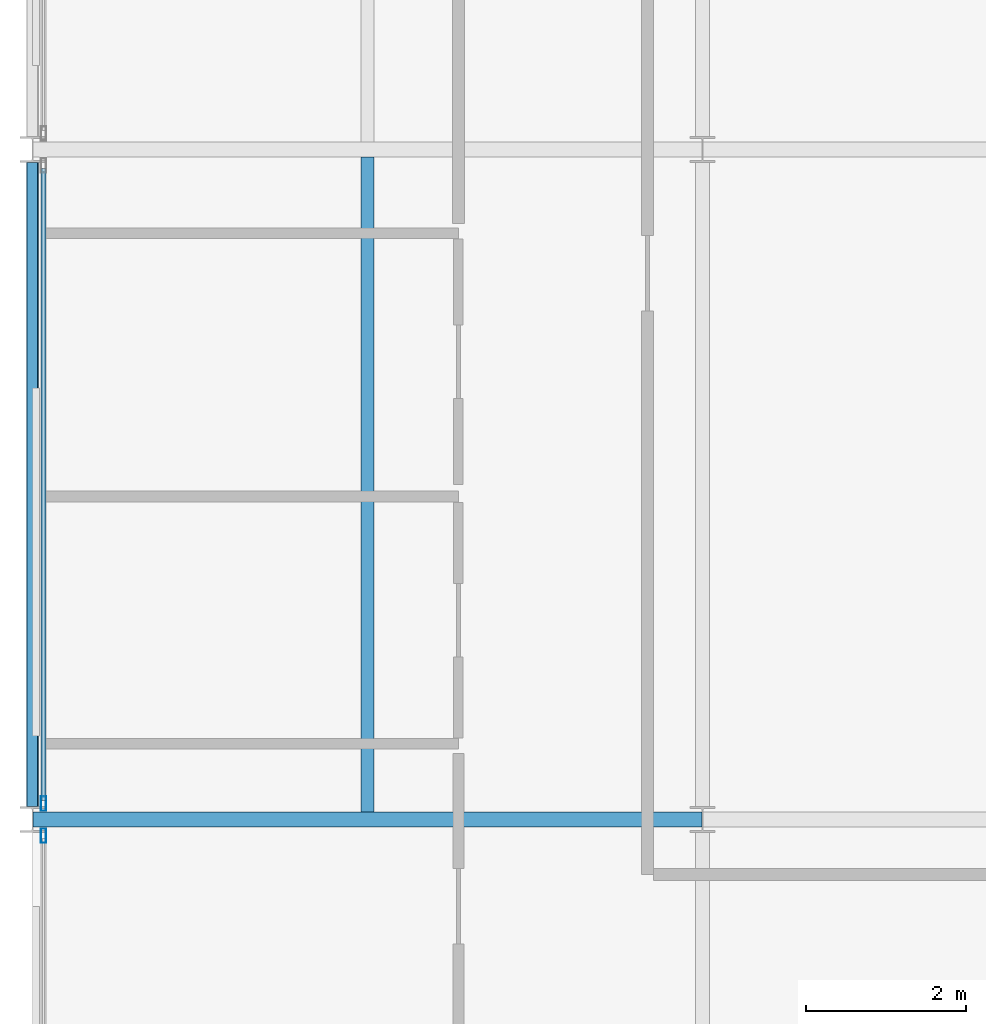
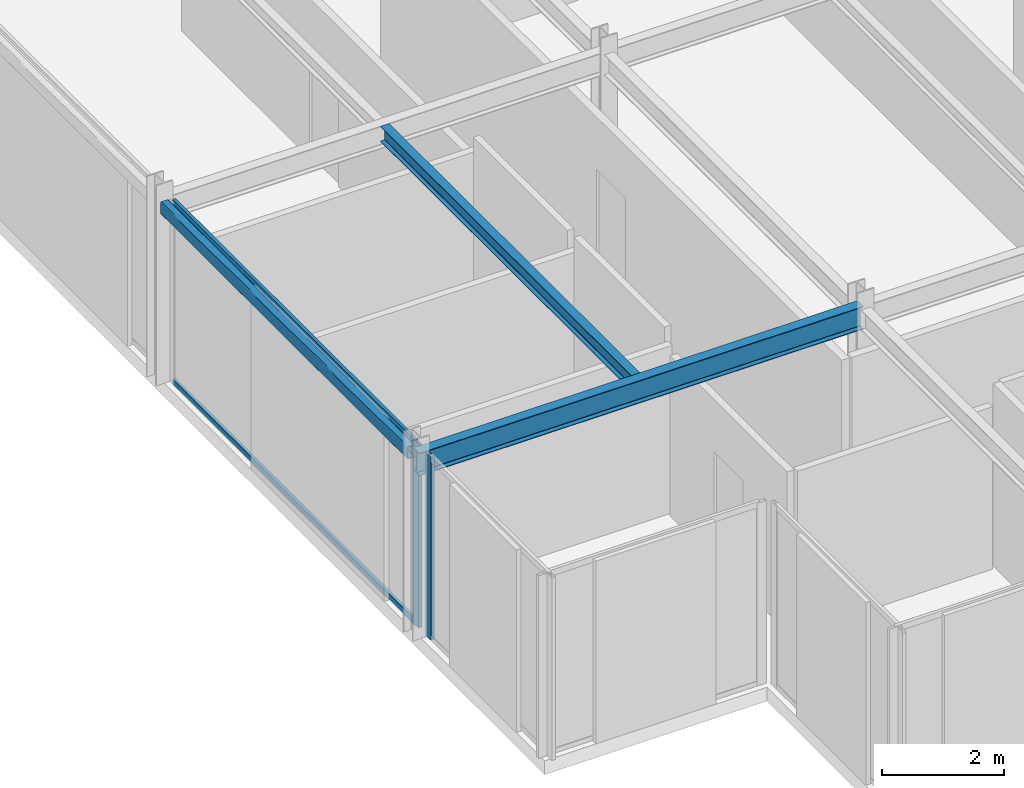
# One storey, part 5 of 26: 4 members, 3 beams, 2 elements without a shape of their own.
"""IFC4 building model written with IfcOpenShell, lengths in metres."""

from ifc_helpers import new_model, si_unit, direction, frame, origin, origin_2d, place, context, subcontext, project, spatial, hollow_rectangle, i_section, extrude, material, layer, layer_set, material_profile, profile_set, type_object, element, aggregate, save


model = new_model("IFC4")

# Units and contexts
model_context = context("Model", 3, precision=1e-05, world=origin(), true_north=direction((0.0, 1.0)))
body_context = subcontext(model_context, "Body", "Model", "MODEL_VIEW")
ifc_project = project(units=[si_unit("LENGTHUNIT", "METRE"), si_unit("AREAUNIT", "SQUARE_METRE"), si_unit("VOLUMEUNIT", "CUBIC_METRE"), si_unit("PLANEANGLEUNIT", "RADIAN"), si_unit("MASSUNIT", "GRAM", prefix="KILO")], contexts=[model_context])

# Site, building, storey
site_placement = place(None, origin())
site = spatial("IfcSite", under=ifc_project, at=site_placement, CompositionType="ELEMENT")
building_placement = place(site_placement, origin())
building = spatial("IfcBuilding", under=site, at=building_placement, Name="Nerrivon Quay Data Exchange", CompositionType="ELEMENT")
storey_placement = place(building_placement, frame((0.0, 0.0, 282.199951171875)))
storey = spatial("IfcBuildingStorey", under=building, at=storey_placement, Name="L67", CompositionType="ELEMENT", Elevation=282.199951171875)

# Beams
ifc_material_1 = material(Name="Steel Grade 350", Category="steel")
ifc_material_profile_1 = material_profile(ifc_material_1, i_section(OverallWidth=0.18994140625, OverallDepth=0.4541015625, WebThickness=0.008544921875, FlangeThickness=0.0126953125, FilletRadius=0.011474609375, at=origin_2d()), Name="460UB67.1")
ifc_profile_set_1 = profile_set([ifc_material_profile_1], Name="Steel Grade 350")
beam_type_1 = type_object("IfcBeamType", Name="BM-G6-460UB67", PredefinedType="BEAM", material=ifc_profile_set_1)
beam_1_placement = place(storey_placement, frame((0.0078125, 8.39990234375, 3.423095703125), z_axis=(1.0, 0.0, 0.0), x_axis=(0.0, 1.0, 0.0)))
element("IfcBeam", 1, at=beam_1_placement, inside=storey, type_object=beam_type_1, Name="L67 EW Girder Y=8.4 (0.0..8.4)", PredefinedType="BEAM", context=body_context, shape_type="SweptSolid", body=[
    extrude(i_section(OverallWidth=0.18994140625, OverallDepth=0.4541015625, WebThickness=0.008544921875, FlangeThickness=0.0126953125, FilletRadius=0.011474609375, at=origin_2d()), origin(), (0.0, 0.0, 1.0), 8.38427734375),
])
ifc_material_profile_2 = material_profile(ifc_material_1, i_section(OverallWidth=0.1650390625, OverallDepth=0.303955078125, WebThickness=0.006103515625, FlangeThickness=0.01025390625, FilletRadius=0.011474609375, at=origin_2d()), Name="310UB40.4")
ifc_profile_set_2 = profile_set([ifc_material_profile_2], Name="Steel Grade 350")
beam_type_2 = type_object("IfcBeamType", Name="BM-J6-310UB40", PredefinedType="JOIST", material=ifc_profile_set_2)
beam_2_placement = place(storey_placement, frame((4.199951171875, 8.4951171875, 3.498046875), z_axis=(0.0, 1.0, 0.0), x_axis=(-1.0, 0.0, 0.0)))
element("IfcBeam", 2, at=beam_2_placement, inside=storey, type_object=beam_type_2, Name="L67 Secondary Joist X=4.2 (8.4..16.8)", PredefinedType="JOIST", context=body_context, shape_type="SweptSolid", body=[
    extrude(i_section(OverallWidth=0.1650390625, OverallDepth=0.303955078125, WebThickness=0.006103515625, FlangeThickness=0.01025390625, FilletRadius=0.011474609375, at=origin_2d()), origin(), (0.0, 0.0, 1.0), 8.2099609375),
])
ifc_material_2 = material(Name="Steel Grade C350L0 (350 MPa)", Category="steel")
ifc_material_profile_3 = material_profile(ifc_material_2, hollow_rectangle(XDim=0.14990234375, YDim=0.25, WallThickness=0.009033203125, InnerFilletRadius=0.013427734375, OuterFilletRadius=0.0224609375, at=origin_2d()), Name="250x150x9.0RHS")
ifc_profile_set_3 = profile_set([ifc_material_profile_3], Name="Steel Grade C350L0 (350 MPa)")
beam_type_3 = type_object("IfcBeamType", Name="BM-SP4-250x150RHS", PredefinedType="SPANDREL", material=ifc_profile_set_3)
beam_3_placement = place(storey_placement, frame((0.0, 8.5634765625, 3.525146484375), z_axis=(0.0, 1.0, 0.0), x_axis=(-1.0, 0.0, 0.0)))
element("IfcBeam", 3, at=beam_3_placement, inside=storey, type_object=beam_type_3, Name="L67 NS Girder X=0.0 (8.4..16.8)", PredefinedType="SPANDREL", context=body_context, shape_type="SweptSolid", body=[
    extrude(hollow_rectangle(XDim=0.14990234375, YDim=0.25, WallThickness=0.009033203125, InnerFilletRadius=0.013427734375, OuterFilletRadius=0.0224609375, at=origin_2d()), origin(), (0.0, 0.0, 1.0), 8.072998046875),
])

# Curtain wall, member
ifc_material_3 = material(Name="Anodised aluminium 6063-T6", Category="aluminium")
ifc_layer = layer(ifc_material_3, 0.195068359375)
ifc_layer_set = layer_set([ifc_layer], Name="Anodised aluminium 6063-T6")
curtain_wall_type = type_object("IfcCurtainWallType", Name="CW-SYS-06", PredefinedType="NOTDEFINED", material=ifc_layer_set)
curtain_wall_1_placement = place(storey_placement, origin())
curtain_wall_1 = element("IfcCurtainWall", 4, at=curtain_wall_1_placement, inside=storey, type_object=curtain_wall_type, Name="L67 Unitised Curtain Wall 11", PredefinedType="NOTDEFINED")
ifc_material_profile_4 = material_profile(ifc_material_3, hollow_rectangle(XDim=0.06494140625, YDim=0.179931640625, WallThickness=0.00341796875, at=origin_2d()), Name="ALU-MULL-180x65")
ifc_profile_set_4 = profile_set([ifc_material_profile_4], Name="Anodised aluminium 6063-T6")
member_type_1 = type_object("IfcMemberType", Name="CWM-180x65", PredefinedType="MULLION", material=ifc_profile_set_4)
member_1_placement = place(storey_placement, frame((0.139892578125, 8.198974609375, 0.0), z_axis=(0.0, 0.0, 1.0), x_axis=(-1.0, 0.0, 0.0)))
member_1 = element("IfcMember", 5, at=member_1_placement, type_object=member_type_1, Name="CW06 mullion 2", PredefinedType="MULLION", context=body_context, shape_type="SweptSolid", body=[
    extrude(hollow_rectangle(XDim=0.06494140625, YDim=0.179931640625, WallThickness=0.00341796875, at=origin_2d()), origin(), (0.0, 0.0, 1.0), 3.650146484375),
])
aggregate(curtain_wall_1, [member_1])

# Curtain wall, members
curtain_wall_2_placement = place(storey_placement, origin())
curtain_wall_2 = element("IfcCurtainWall", 6, at=curtain_wall_2_placement, inside=storey, type_object=curtain_wall_type, Name="L67 Unitised Curtain Wall 12", PredefinedType="NOTDEFINED")
member_2_placement = place(storey_placement, frame((0.139892578125, 8.60107421875, 0.0), z_axis=(0.0, 0.0, 1.0), x_axis=(-1.0, 0.0, 0.0)))
member_2 = element("IfcMember", 7, at=member_2_placement, type_object=member_type_1, Name="CW06 mullion 1", PredefinedType="MULLION", context=body_context, shape_type="SweptSolid", body=[
    extrude(hollow_rectangle(XDim=0.06494140625, YDim=0.179931640625, WallThickness=0.00341796875, at=origin_2d()), origin(), (0.0, 0.0, 1.0), 3.650146484375),
])
ifc_material_profile_5 = material_profile(ifc_material_3, hollow_rectangle(XDim=0.06005859375, YDim=0.1201171875, WallThickness=0.003173828125, at=origin_2d()), Name="ALU-TRAN-120x60")
ifc_profile_set_5 = profile_set([ifc_material_profile_5], Name="Anodised aluminium 6063-T6")
member_type_2 = type_object("IfcMemberType", Name="CWT-120x60", PredefinedType="USERDEFINED", material=ifc_profile_set_5)
member_3_placement = place(storey_placement, frame((0.139892578125, 8.638427734375, 0.032470703125), z_axis=(0.0, 1.0, 0.0), x_axis=(-1.0, 0.0, 0.0)))
member_3 = element("IfcMember", 8, at=member_3_placement, type_object=member_type_2, Name="CW06 transom 1.1", ObjectType="TRANSOM", PredefinedType="USERDEFINED", context=body_context, shape_type="SweptSolid", body=[
    extrude(hollow_rectangle(XDim=0.06005859375, YDim=0.1201171875, WallThickness=0.003173828125, at=origin_2d()), origin(), (0.0, 0.0, 1.0), 7.923095703125),
])
member_4_placement = place(storey_placement, frame((0.139892578125, 8.638427734375, 3.617431640625), z_axis=(0.0, 1.0, 0.0), x_axis=(-1.0, 0.0, 0.0)))
member_4 = element("IfcMember", 9, at=member_4_placement, type_object=member_type_2, Name="CW06 transom 1.2", ObjectType="TRANSOM", PredefinedType="USERDEFINED", context=body_context, shape_type="SweptSolid", body=[
    extrude(hollow_rectangle(XDim=0.06005859375, YDim=0.1201171875, WallThickness=0.003173828125, at=origin_2d()), origin(), (0.0, 0.0, 1.0), 7.923095703125),
])
aggregate(curtain_wall_2, [member_2, member_3, member_4])

save(model, "model.ifc")
